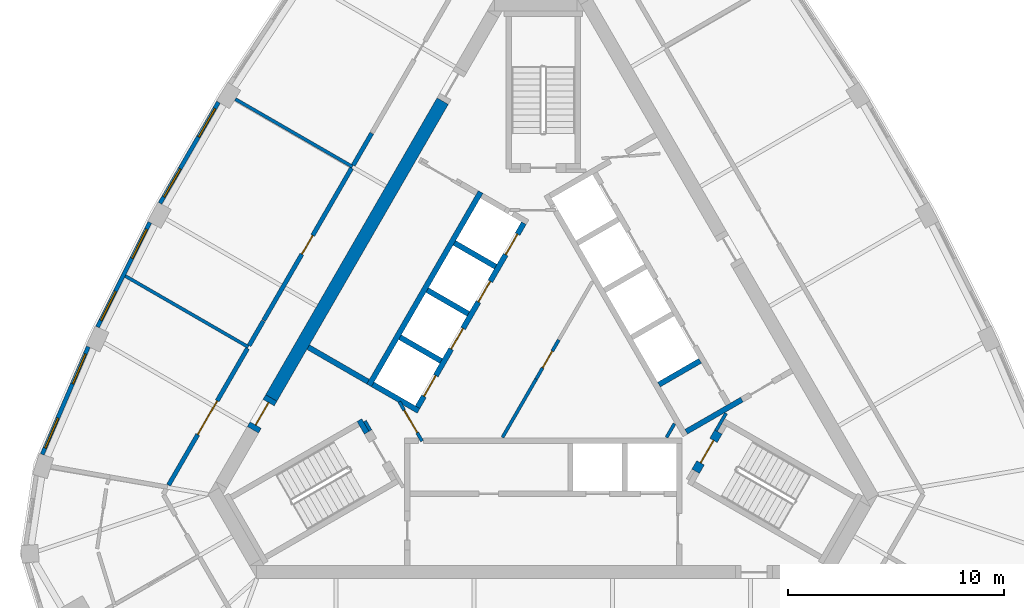
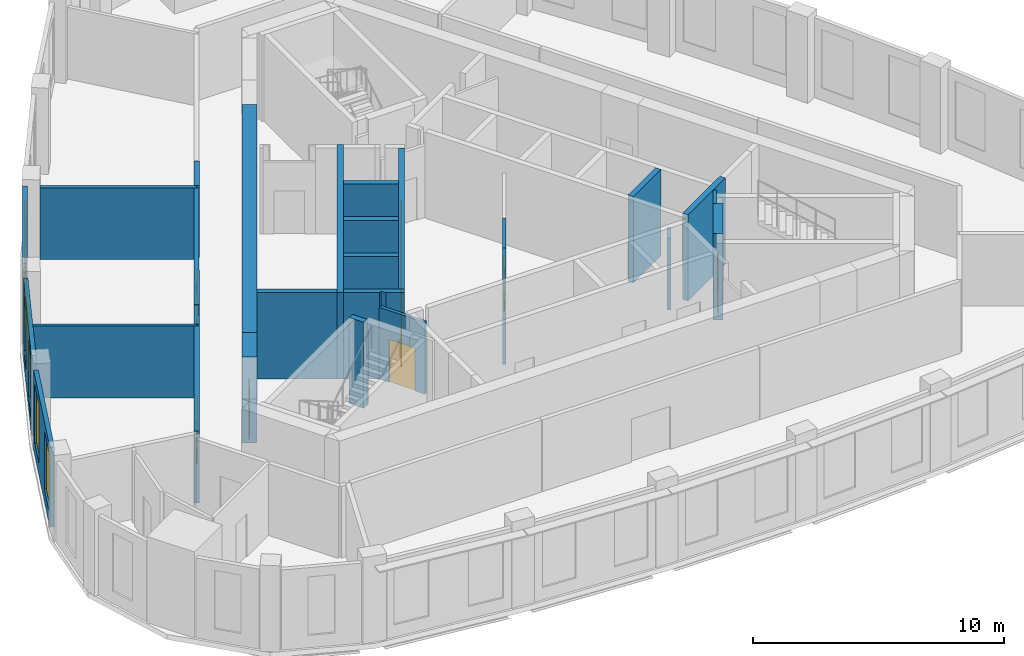
# One storey, part 4 of 8: 28 walls, 10 doors, 6 windows, 16 openings.
"""IFC4 building model written with IfcOpenShell, lengths in metres."""

from ifc_helpers import new_model, si_unit, direction, frame, frame_2d, origin, place, context, subcontext, project, spatial, polyline, rectangle, outline, extrude, material, layer, layer_set, type_object, element, fill, save


model = new_model("IFC4")

# Units and contexts
model_context = context("Model", 3, precision=1e-05, world=origin(), true_north=direction((0.0, 1.0)))
body_context = subcontext(model_context, "Body", "Model", "MODEL_VIEW")
ifc_project = project(units=[si_unit("LENGTHUNIT", "METRE"), si_unit("AREAUNIT", "SQUARE_METRE"), si_unit("VOLUMEUNIT", "CUBIC_METRE"), si_unit("PLANEANGLEUNIT", "RADIAN"), si_unit("MASSUNIT", "GRAM", prefix="KILO")], contexts=[model_context])

# Site, building, storey
site_placement = place(None, origin())
site = spatial("IfcSite", under=ifc_project, at=site_placement, CompositionType="ELEMENT")
building_placement = place(site_placement, origin())
building = spatial("IfcBuilding", under=site, at=building_placement, Name="Mestral Congress Tower", CompositionType="ELEMENT")
storey_placement = place(building_placement, frame((0.0, 0.0, 317.39990234375)))
storey = spatial("IfcBuildingStorey", under=building, at=storey_placement, Name="L74", CompositionType="ELEMENT", Elevation=317.39990234375)

# Walls
ifc_material_1 = material(Name="Fire-rated board partition")
ifc_layer_1 = layer(ifc_material_1, 0.14990234375)
ifc_layer_set_1 = layer_set([ifc_layer_1], Name="Fire-rated board partition")
wall_type_1 = type_object("IfcWallType", Name="Core partition 150", PredefinedType="PARTITIONING", material=ifc_layer_set_1)
wall_1_placement = place(storey_placement, frame((-8.251953125, -2.958251953125, 0.0), z_axis=(0.0, 0.0, 1.0), x_axis=(0.500174715838, -0.865924508047, 0.0)))
element("IfcWall", 1, at=wall_1_placement, inside=storey, type_object=wall_type_1, Name="L74 core wall", PredefinedType="PARTITIONING", context=body_context, shape_type="SweptSolid", body=[
    extrude(rectangle(XDim=0.513916015625, YDim=0.14990234375, at=frame_2d((0.2568359375, 0.0))), origin(), (0.0, 0.0, 1.0), 3.5),
])
wall_2_placement = place(storey_placement, frame((5.704833984375, -3.718017578125, 0.0), z_axis=(0.0, 0.0, 1.0), x_axis=(0.499962090823, 0.866047289552, 0.0)))
element("IfcWall", 2, at=wall_2_placement, inside=storey, type_object=wall_type_1, Name="L74 core wall", PredefinedType="PARTITIONING", context=body_context, shape_type="SweptSolid", body=[
    extrude(rectangle(XDim=0.73486328125, YDim=0.14990234375, at=frame_2d((0.367431640625, 0.0))), origin(), (0.0, 0.0, 1.0), 3.5),
])
wall_3_placement = place(storey_placement, frame((-1.886962890625, -3.71826171875, 0.0), z_axis=(0.0, 0.0, 1.0), x_axis=(0.500043732237, 0.866000153493, 0.0)))
element("IfcWall", 3, at=wall_3_placement, inside=storey, type_object=wall_type_1, Name="L74 core wall", PredefinedType="PARTITIONING", context=body_context, shape_type="SweptSolid", body=[
    extrude(rectangle(XDim=3.113525390625, YDim=0.14990234375, at=frame_2d((1.556640625, 0.0))), origin(), (0.0, 0.0, 1.0), 3.5),
])

# Wall, opening, door
wall_4_placement = place(storey_placement, frame((-0.330078125, -1.021728515625, 0.0), z_axis=(0.0, 0.0, 1.0), x_axis=(0.500027713859, 0.866009402589, 0.0)))
wall_4 = element("IfcWall", 4, at=wall_4_placement, inside=storey, type_object=wall_type_1, Name="L74 door wall", PredefinedType="PARTITIONING", context=body_context, shape_type="SweptSolid", body=[
    extrude(rectangle(XDim=2.10009765625, YDim=0.14990234375, at=frame_2d((1.050048828125, 0.0))), origin(), (0.0, 0.0, 1.0), 3.5),
])
opening_1_placement = place(wall_4_placement, frame((0.60009765625, 0.0, 0.0)))
opening_1 = element("IfcOpeningElement", 5, at=opening_1_placement, cuts=wall_4, Name="Opening CD1-HUB0", PredefinedType="OPENING", context=body_context, shape_type="SweptSolid", body=[
    extrude(rectangle(XDim=0.89990234375, YDim=2.10009765625, at=frame_2d((0.449951171875, 1.050048828125))), frame((0.0, 0.0849609375, 0.0), z_axis=(0.0, -1.0, 0.0), x_axis=(1.0, 0.0, 0.0)), (0.0, 0.0, 1.0), 0.169921875),
])
ifc_material_2 = material(Name="Fire-rated steel door set", Category="steel")
door_type_1 = type_object("IfcDoorType", Name="Core door CD 900x2100", OperationType="SINGLE_SWING_LEFT", PredefinedType="DOOR", material=ifc_material_2)
door_1_placement = place(opening_1_placement, origin())
door_1 = element("IfcDoor", 6, at=door_1_placement, inside=storey, type_object=door_type_1, Name="Door CD1-HUB0", OperationType="SINGLE_SWING_LEFT", OverallHeight=2.10009765625, OverallWidth=0.89990234375, PredefinedType="DOOR", context=body_context, shape_type="SweptSolid", body=[
    extrude(rectangle(XDim=0.89990234375, YDim=2.10009765625, at=frame_2d((0.449951171875, 1.050048828125))), frame((0.0, 0.02490234375, 0.0), z_axis=(0.0, -1.0, 0.0), x_axis=(1.0, 0.0, 0.0)), (0.0, 0.0, 1.0), 0.050048828125),
])
fill(opening_1, door_1)

wall_5_placement = place(storey_placement, frame((-5.606201171875, -3.8896484375, 0.0), z_axis=(0.0, 0.0, 1.0), x_axis=(-0.500027713859, 0.866009402589, 0.0)))
wall_5 = element("IfcWall", 7, at=wall_5_placement, inside=storey, type_object=wall_type_1, Name="L74 door wall", PredefinedType="PARTITIONING", context=body_context, shape_type="SweptSolid", body=[
    extrude(rectangle(XDim=2.10009765625, YDim=0.14990234375, at=frame_2d((1.050048828125, 0.0))), origin(), (0.0, 0.0, 1.0), 3.5),
])
opening_2_placement = place(wall_5_placement, frame((0.449951171875, 0.0, 0.0)))
opening_2 = element("IfcOpeningElement", 8, at=opening_2_placement, cuts=wall_5, Name="Opening CD3-FF", PredefinedType="OPENING", context=body_context, shape_type="SweptSolid", body=[
    extrude(rectangle(XDim=1.199951171875, YDim=2.10009765625, at=frame_2d((0.60009765625, 1.050048828125))), frame((0.0, 0.0849609375, 0.0), z_axis=(0.0, -1.0, 0.0), x_axis=(1.0, 0.0, 0.0)), (0.0, 0.0, 1.0), 0.169921875),
])
door_type_2 = type_object("IfcDoorType", Name="Core door CD 1200x2100", OperationType="SINGLE_SWING_LEFT", PredefinedType="DOOR", material=ifc_material_2)
door_2_placement = place(opening_2_placement, origin())
door_2 = element("IfcDoor", 9, at=door_2_placement, inside=storey, type_object=door_type_2, Name="Door CD3-FF", OperationType="SINGLE_SWING_LEFT", OverallHeight=2.10009765625, OverallWidth=1.199951171875, PredefinedType="DOOR", context=body_context, shape_type="SweptSolid", body=[
    extrude(rectangle(XDim=1.199951171875, YDim=2.10009765625, at=frame_2d((0.60009765625, 1.050048828125))), frame((0.0, 0.02490234375, 0.0), z_axis=(0.0, -1.0, 0.0), x_axis=(1.0, 0.0, 0.0)), (0.0, 0.0, 1.0), 0.050048828125),
])
fill(opening_2, door_2)

# Wall
ifc_material_3 = material(Name="Concrete C60/75", Category="concrete")
ifc_layer_2 = layer(ifc_material_3, 0.60009765625)
ifc_layer_set_2 = layer_set([ifc_layer_2], Name="Concrete C60/75")
wall_type_2 = type_object("IfcWallType", Name="Core wall RC 600", PredefinedType="SOLIDWALL", material=ifc_layer_set_2)
wall_6_placement = place(storey_placement, frame((-12.58154296875, -1.891845703125, 0.0), z_axis=(0.0, 0.0, 1.0), x_axis=(0.500003640647, 0.866023301845, 0.0)))
element("IfcWall", 10, at=wall_6_placement, inside=storey, type_object=wall_type_2, Name="L74 core wall", PredefinedType="SOLIDWALL", context=body_context, shape_type="SweptSolid", body=[
    extrude(rectangle(XDim=15.8583984375, YDim=0.60009765625, at=frame_2d((7.92919921875, 0.0))), origin(), (0.0, 0.0, 1.0), 4.2001953125),
])

# Wall, opening, door
wall_7_placement = place(storey_placement, frame((-13.431640625, -3.3642578125, 0.0), z_axis=(0.0, 0.0, 1.0), x_axis=(0.500062241894, 0.865989465428, 0.0)))
wall_7 = element("IfcWall", 11, at=wall_7_placement, inside=storey, type_object=wall_type_2, Name="L74 door wall", PredefinedType="SOLIDWALL", context=body_context, shape_type="SweptSolid", body=[
    extrude(rectangle(XDim=1.699951171875, YDim=0.60009765625, at=frame_2d((0.85009765625, 0.0))), origin(), (0.0, 0.0, 1.0), 4.2001953125),
])
opening_3_placement = place(wall_7_placement, frame((0.25, 0.0, 0.0)))
opening_3 = element("IfcOpeningElement", 12, at=opening_3_placement, cuts=wall_7, Name="Opening XD3", PredefinedType="OPENING", context=body_context, shape_type="SweptSolid", body=[
    extrude(rectangle(XDim=1.199951171875, YDim=2.10009765625, at=frame_2d((0.60009765625, 1.050048828125))), frame((0.0, 0.31005859375, 0.0), z_axis=(0.0, -1.0, 0.0), x_axis=(1.0, 0.0, 0.0)), (0.0, 0.0, 1.0), 0.6201171875),
])
door_type_3 = type_object("IfcDoorType", Name="Core door XD 1200x2100", OperationType="SINGLE_SWING_LEFT", PredefinedType="DOOR", material=ifc_material_2)
door_3_placement = place(opening_3_placement, origin())
door_3 = element("IfcDoor", 13, at=door_3_placement, inside=storey, type_object=door_type_3, Name="Door XD3", OperationType="SINGLE_SWING_LEFT", OverallHeight=2.10009765625, OverallWidth=1.199951171875, PredefinedType="DOOR", context=body_context, shape_type="SweptSolid", body=[
    extrude(rectangle(XDim=1.199951171875, YDim=2.10009765625, at=frame_2d((0.60009765625, 1.050048828125))), frame((0.0, 0.02490234375, 0.0), z_axis=(0.0, -1.0, 0.0), x_axis=(1.0, 0.0, 0.0)), (0.0, 0.0, 1.0), 0.050048828125),
])
fill(opening_3, door_3)

# Wall, openings, windows
ifc_material_4 = material(Name="Precast concrete C40/50 with limestone facing", Category="masonry")
ifc_layer_3 = layer(ifc_material_4, 0.18994140625)
ifc_layer_set_3 = layer_set([ifc_layer_3], Name="Precast concrete C40/50 with limestone facing")
wall_type_3 = type_object("IfcWallType", Name="Facade stone wall 190", PredefinedType="SOLIDWALL", material=ifc_layer_set_3)
wall_8_placement = place(storey_placement, frame((-15.025146484375, 11.7958984375, 0.0), z_axis=(0.0, 0.0, 1.0), x_axis=(-0.500024767483, -0.866011103799, 0.0)))
wall_8 = element("IfcWall", 14, at=wall_8_placement, inside=storey, type_object=wall_type_3, Name="Facade wall F2-02", PredefinedType="SOLIDWALL", context=body_context, shape_type="SweptSolid", body=[
    extrude(rectangle(XDim=5.406005859375, YDim=0.18994140625, at=frame_2d((2.703125, 0.0))), origin(), (0.0, 0.0, 1.0), 3.900146484375),
])
opening_4_placement = place(wall_8_placement, frame((0.346435546875, 0.0, 0.60009765625)))
opening_4 = element("IfcOpeningElement", 15, at=opening_4_placement, cuts=wall_8, Name="Opening W6", PredefinedType="OPENING", context=body_context, shape_type="SweptSolid", body=[
    extrude(rectangle(XDim=1.5, YDim=2.85009765625, at=frame_2d((0.75, 1.425048828125))), frame((0.0, 0.10498046875, 0.0), z_axis=(0.0, -1.0, 0.0), x_axis=(1.0, 0.0, 0.0)), (0.0, 0.0, 1.0), 0.2099609375),
])
opening_5_placement = place(wall_8_placement, frame((3.559326171875, 0.0, 0.60009765625)))
opening_5 = element("IfcOpeningElement", 16, at=opening_5_placement, cuts=wall_8, Name="Opening W6", PredefinedType="OPENING", context=body_context, shape_type="SweptSolid", body=[
    extrude(rectangle(XDim=1.5, YDim=2.85009765625, at=frame_2d((0.75, 1.425048828125))), frame((0.0, 0.10498046875, 0.0), z_axis=(0.0, -1.0, 0.0), x_axis=(1.0, 0.0, 0.0)), (0.0, 0.0, 1.0), 0.2099609375),
])
ifc_material_5 = material(Name="Clear low-emissivity double glazing", Category="glass")
window_type = type_object("IfcWindowType", Name="Facade punched window 1500 x 2850 sill 600", PartitioningType="SINGLE_PANEL", PredefinedType="WINDOW", material=ifc_material_5)
window_1_placement = place(opening_4_placement, origin())
window_1 = element("IfcWindow", 17, at=window_1_placement, inside=storey, type_object=window_type, Name="Window F2-02a", OverallHeight=2.85009765625, OverallWidth=1.5, PartitioningType="SINGLE_PANEL", PredefinedType="WINDOW", context=body_context, shape_type="SweptSolid", body=[
    extrude(rectangle(XDim=1.5, YDim=2.85009765625, at=frame_2d((0.75, 1.425048828125))), frame((0.0, 0.044921875, 0.0), z_axis=(0.0, -1.0, 0.0), x_axis=(1.0, 0.0, 0.0)), (0.0, 0.0, 1.0), 0.06005859375),
])
fill(opening_4, window_1)
window_2_placement = place(opening_5_placement, origin())
window_2 = element("IfcWindow", 18, at=window_2_placement, inside=storey, type_object=window_type, Name="Window F2-02b", OverallHeight=2.85009765625, OverallWidth=1.5, PartitioningType="SINGLE_PANEL", PredefinedType="WINDOW", context=body_context, shape_type="SweptSolid", body=[
    extrude(rectangle(XDim=1.5, YDim=2.85009765625, at=frame_2d((0.75, 1.425048828125))), frame((0.0, 0.044921875, 0.0), z_axis=(0.0, -1.0, 0.0), x_axis=(1.0, 0.0, 0.0)), (0.0, 0.0, 1.0), 0.06005859375),
])
fill(opening_5, window_2)

wall_9_placement = place(storey_placement, frame((-18.205810546875, 6.226806640625, 0.0), z_axis=(0.0, 0.0, 1.0), x_axis=(-0.447484531401, -0.894291671747, 0.0)))
wall_9 = element("IfcWall", 19, at=wall_9_placement, inside=storey, type_object=wall_type_3, Name="Facade wall F2-03", PredefinedType="SOLIDWALL", context=body_context, shape_type="SweptSolid", body=[
    extrude(rectangle(XDim=5.40625, YDim=0.18994140625, at=frame_2d((2.703125, 0.0))), origin(), (0.0, 0.0, 1.0), 3.900146484375),
])
opening_6_placement = place(wall_9_placement, frame((0.346435546875, 0.0, 0.60009765625)))
opening_6 = element("IfcOpeningElement", 20, at=opening_6_placement, cuts=wall_9, Name="Opening W6", PredefinedType="OPENING", context=body_context, shape_type="SweptSolid", body=[
    extrude(rectangle(XDim=1.5, YDim=2.85009765625, at=frame_2d((0.75, 1.425048828125))), frame((0.0, 0.10498046875, 0.0), z_axis=(0.0, -1.0, 0.0), x_axis=(1.0, 0.0, 0.0)), (0.0, 0.0, 1.0), 0.2099609375),
])
opening_7_placement = place(wall_9_placement, frame((3.559326171875, 0.0, 0.60009765625)))
opening_7 = element("IfcOpeningElement", 21, at=opening_7_placement, cuts=wall_9, Name="Opening W6", PredefinedType="OPENING", context=body_context, shape_type="SweptSolid", body=[
    extrude(rectangle(XDim=1.5, YDim=2.85009765625, at=frame_2d((0.75, 1.425048828125))), frame((0.0, 0.10498046875, 0.0), z_axis=(0.0, -1.0, 0.0), x_axis=(1.0, 0.0, 0.0)), (0.0, 0.0, 1.0), 0.2099609375),
])
window_3_placement = place(opening_6_placement, origin())
window_3 = element("IfcWindow", 22, at=window_3_placement, inside=storey, type_object=window_type, Name="Window F2-03a", OverallHeight=2.85009765625, OverallWidth=1.5, PartitioningType="SINGLE_PANEL", PredefinedType="WINDOW", context=body_context, shape_type="SweptSolid", body=[
    extrude(rectangle(XDim=1.5, YDim=2.85009765625, at=frame_2d((0.75, 1.425048828125))), frame((0.0, 0.044921875, 0.0), z_axis=(0.0, -1.0, 0.0), x_axis=(1.0, 0.0, 0.0)), (0.0, 0.0, 1.0), 0.06005859375),
])
fill(opening_6, window_3)
window_4_placement = place(opening_7_placement, origin())
window_4 = element("IfcWindow", 23, at=window_4_placement, inside=storey, type_object=window_type, Name="Window F2-03b", OverallHeight=2.85009765625, OverallWidth=1.5, PartitioningType="SINGLE_PANEL", PredefinedType="WINDOW", context=body_context, shape_type="SweptSolid", body=[
    extrude(rectangle(XDim=1.5, YDim=2.85009765625, at=frame_2d((0.75, 1.425048828125))), frame((0.0, 0.044921875, 0.0), z_axis=(0.0, -1.0, 0.0), x_axis=(1.0, 0.0, 0.0)), (0.0, 0.0, 1.0), 0.06005859375),
])
fill(opening_7, window_4)

wall_10_placement = place(storey_placement, frame((-21.048828125, 0.477783203125, 0.0), z_axis=(0.0, 0.0, 1.0), x_axis=(-0.393347848476, -0.919389726992, 0.0)))
wall_10 = element("IfcWall", 24, at=wall_10_placement, inside=storey, type_object=wall_type_3, Name="Facade wall F2-04", PredefinedType="SOLIDWALL", context=body_context, shape_type="SweptSolid", body=[
    extrude(rectangle(XDim=5.414794921875, YDim=0.18994140625, at=frame_2d((2.70751953125, 0.0))), origin(), (0.0, 0.0, 1.0), 3.900146484375),
])
opening_8_placement = place(wall_10_placement, frame((0.357421875, 0.0, 0.60009765625)))
opening_8 = element("IfcOpeningElement", 25, at=opening_8_placement, cuts=wall_10, Name="Opening W6", PredefinedType="OPENING", context=body_context, shape_type="SweptSolid", body=[
    extrude(rectangle(XDim=1.5, YDim=2.85009765625, at=frame_2d((0.75, 1.425048828125))), frame((0.0, 0.10498046875, 0.0), z_axis=(0.0, -1.0, 0.0), x_axis=(1.0, 0.0, 0.0)), (0.0, 0.0, 1.0), 0.2099609375),
])
opening_9_placement = place(wall_10_placement, frame((3.592529296875, 0.0, 0.60009765625)))
opening_9 = element("IfcOpeningElement", 26, at=opening_9_placement, cuts=wall_10, Name="Opening W6", PredefinedType="OPENING", context=body_context, shape_type="SweptSolid", body=[
    extrude(rectangle(XDim=1.5, YDim=2.85009765625, at=frame_2d((0.75, 1.425048828125))), frame((0.0, 0.10498046875, 0.0), z_axis=(0.0, -1.0, 0.0), x_axis=(1.0, 0.0, 0.0)), (0.0, 0.0, 1.0), 0.2099609375),
])
window_5_placement = place(opening_8_placement, origin())
window_5 = element("IfcWindow", 27, at=window_5_placement, inside=storey, type_object=window_type, Name="Window F2-04a", OverallHeight=2.85009765625, OverallWidth=1.5, PartitioningType="SINGLE_PANEL", PredefinedType="WINDOW", context=body_context, shape_type="SweptSolid", body=[
    extrude(rectangle(XDim=1.5, YDim=2.85009765625, at=frame_2d((0.75, 1.425048828125))), frame((0.0, 0.044921875, 0.0), z_axis=(0.0, -1.0, 0.0), x_axis=(1.0, 0.0, 0.0)), (0.0, 0.0, 1.0), 0.06005859375),
])
fill(opening_8, window_5)
window_6_placement = place(opening_9_placement, origin())
window_6 = element("IfcWindow", 28, at=window_6_placement, inside=storey, type_object=window_type, Name="Window F2-04b", OverallHeight=2.85009765625, OverallWidth=1.5, PartitioningType="SINGLE_PANEL", PredefinedType="WINDOW", context=body_context, shape_type="SweptSolid", body=[
    extrude(rectangle(XDim=1.5, YDim=2.85009765625, at=frame_2d((0.75, 1.425048828125))), frame((0.0, 0.044921875, 0.0), z_axis=(0.0, -1.0, 0.0), x_axis=(1.0, 0.0, 0.0)), (0.0, 0.0, 1.0), 0.06005859375),
])
fill(opening_9, window_6)

# Walls
ifc_material_6 = material(Name="Plasterboard partition on steel studs", Category="steel")
ifc_layer_4 = layer(ifc_material_6, 0.14990234375)
ifc_layer_set_4 = layer_set([ifc_layer_4], Name="Plasterboard partition on steel studs")
wall_type_4 = type_object("IfcWallType", Name="Office partition 150", PredefinedType="PARTITIONING", material=ifc_layer_set_4)
wall_11_placement = place(storey_placement, frame((-8.8291015625, 8.8076171875, 0.0), z_axis=(0.0, 0.0, 1.0), x_axis=(-0.86603673505, 0.499980373158, 0.0)))
element("IfcWall", 29, at=wall_11_placement, inside=storey, type_object=wall_type_4, Name="Partition", PredefinedType="PARTITIONING", context=body_context, shape_type="SweptSolid", body=[
    extrude(rectangle(XDim=6.254638671875, YDim=0.14990234375, at=frame_2d((3.12744140625, 0.0))), origin(), (0.0, 0.0, 1.0), 3.5),
])
wall_12_placement = place(storey_placement, frame((-13.645751953125, 0.465087890625, 0.0), z_axis=(0.0, 0.0, 1.0), x_axis=(-0.866033427365, 0.499986102494, 0.0)))
element("IfcWall", 30, at=wall_12_placement, inside=storey, type_object=wall_type_4, Name="Partition", PredefinedType="PARTITIONING", context=body_context, shape_type="SweptSolid", body=[
    extrude(rectangle(XDim=6.572998046875, YDim=0.14990234375, at=frame_2d((3.28662109375, 0.0))), origin(), (0.0, 0.0, 1.0), 3.5),
])
ifc_material_7 = material(Name="Dense masonry wall, plastered", Category="masonry")
ifc_layer_5 = layer(ifc_material_7, 0.199951171875)
ifc_layer_set_5 = layer_set([ifc_layer_5], Name="Dense masonry wall, plastered")
wall_type_5 = type_object("IfcWallType", Name="Office tenancy wall 200", PredefinedType="PARTITIONING", material=ifc_layer_set_5)
wall_13_placement = place(storey_placement, frame((-7.935546875, 10.35498046875, 0.0), z_axis=(0.0, 0.0, 1.0), x_axis=(-0.500035209441, -0.86600507465, 0.0)))
element("IfcWall", 31, at=wall_13_placement, inside=storey, type_object=wall_type_5, Name="Tenancy wall", PredefinedType="PARTITIONING", context=body_context, shape_type="SweptSolid", body=[
    extrude(rectangle(XDim=1.7119140625, YDim=0.199951171875, at=frame_2d((0.85595703125, 0.0))), origin(), (0.0, 0.0, 1.0), 3.5),
])

# Wall, opening, door
wall_14_placement = place(storey_placement, frame((-8.86669921875, 8.74267578125, 0.0), z_axis=(0.0, 0.0, 1.0), x_axis=(-0.499978679558, -0.866037712797, 0.0)))
wall_14 = element("IfcWall", 32, at=wall_14_placement, inside=storey, type_object=wall_type_5, Name="Tenancy wall", PredefinedType="PARTITIONING", context=body_context, shape_type="SweptSolid", body=[
    extrude(rectangle(XDim=8.137939453125, YDim=0.199951171875, at=frame_2d((4.06884765625, 0.0))), origin(), (0.0, 0.0, 1.0), 3.5),
])
opening_10_placement = place(wall_14_placement, frame((3.60009765625, 0.0, 0.0)))
opening_10 = element("IfcOpeningElement", 33, at=opening_10_placement, cuts=wall_14, Name="Opening O15-005", PredefinedType="OPENING", context=body_context, shape_type="SweptSolid", body=[
    extrude(rectangle(XDim=1.0, YDim=2.10009765625, at=frame_2d((0.5, 1.050048828125))), frame((0.0, 0.10986328125, 0.0), z_axis=(0.0, -1.0, 0.0), x_axis=(1.0, 0.0, 0.0)), (0.0, 0.0, 1.0), 0.219970703125),
])
ifc_material_8 = material(Name="Fire-rated timber door set", Category="wood")
door_type_4 = type_object("IfcDoorType", Name="Office tenancy entrance door 1000x2100", OperationType="SINGLE_SWING_LEFT", PredefinedType="DOOR", material=ifc_material_8)
door_4_placement = place(opening_10_placement, origin())
door_4 = element("IfcDoor", 34, at=door_4_placement, inside=storey, type_object=door_type_4, Name="Door O15-005", OperationType="SINGLE_SWING_RIGHT", OverallHeight=2.10009765625, OverallWidth=1.0, PredefinedType="DOOR", context=body_context, shape_type="SweptSolid", body=[
    extrude(rectangle(XDim=1.0, YDim=2.10009765625, at=frame_2d((0.5, 1.050048828125))), frame((0.0, 0.02490234375, 0.0), z_axis=(0.0, -1.0, 0.0), x_axis=(1.0, 0.0, 0.0)), (0.0, 0.0, 1.0), 0.050048828125),
])
fill(opening_10, door_4)

# Wall
wall_15_placement = place(storey_placement, frame((-12.95068359375, 1.6689453125, 0.0), z_axis=(0.0, 0.0, 1.0), x_axis=(-0.49987242464, -0.866099046925, 0.0)))
element("IfcWall", 35, at=wall_15_placement, inside=storey, type_object=wall_type_5, Name="Tenancy wall", PredefinedType="PARTITIONING", context=body_context, shape_type="SweptSolid", body=[
    extrude(rectangle(XDim=1.315185546875, YDim=0.199951171875, at=frame_2d((0.65771484375, 0.0))), origin(), (0.0, 0.0, 1.0), 3.5),
])

# Wall, opening, door
wall_16_placement = place(storey_placement, frame((-13.68310546875, 0.39990234375, 0.0), z_axis=(0.0, 0.0, 1.0), x_axis=(-0.500004109969, -0.86602303088, 0.0)))
wall_16 = element("IfcWall", 36, at=wall_16_placement, inside=storey, type_object=wall_type_5, Name="Tenancy wall", PredefinedType="PARTITIONING", context=body_context, shape_type="SweptSolid", body=[
    extrude(rectangle(XDim=7.30322265625, YDim=0.199951171875, at=frame_2d((3.651611328125, 0.0))), origin(), (0.0, 0.0, 1.0), 3.5),
])
opening_11_placement = place(wall_16_placement, frame((2.800048828125, 0.0, 0.0)))
opening_11 = element("IfcOpeningElement", 37, at=opening_11_placement, cuts=wall_16, Name="Opening O15-006", PredefinedType="OPENING", context=body_context, shape_type="SweptSolid", body=[
    extrude(rectangle(XDim=1.800048828125, YDim=2.10009765625, at=frame_2d((0.89990234375, 1.050048828125))), frame((0.0, 0.10986328125, 0.0), z_axis=(0.0, -1.0, 0.0), x_axis=(1.0, 0.0, 0.0)), (0.0, 0.0, 1.0), 0.219970703125),
])
door_type_5 = type_object("IfcDoorType", Name="Office assembly double door 1800x2100", OperationType="DOUBLE_DOOR_SINGLE_SWING", PredefinedType="DOOR", material=ifc_material_8)
door_5_placement = place(opening_11_placement, origin())
door_5 = element("IfcDoor", 38, at=door_5_placement, inside=storey, type_object=door_type_5, Name="Door O15-006", OperationType="DOUBLE_DOOR_SINGLE_SWING", OverallHeight=2.10009765625, OverallWidth=1.800048828125, PredefinedType="DOOR", context=body_context, shape_type="SweptSolid", body=[
    extrude(rectangle(XDim=1.800048828125, YDim=2.10009765625, at=frame_2d((0.89990234375, 1.050048828125))), frame((0.0, 0.02490234375, 0.0), z_axis=(0.0, -1.0, 0.0), x_axis=(1.0, 0.0, 0.0)), (0.0, 0.0, 1.0), 0.050048828125),
])
fill(opening_11, door_5)

# Walls
ifc_layer_6 = layer(ifc_material_3, 0.25)
ifc_layer_set_6 = layer_set([ifc_layer_6], Name="Concrete C60/75")
wall_type_6 = type_object("IfcWallType", Name="Shaft wall RC 250", PredefinedType="SOLIDWALL", material=ifc_layer_set_6)
wall_17_placement = place(storey_placement, frame((5.35400390625, -1.273681640625, 0.0), z_axis=(0.0, 0.0, 1.0), x_axis=(0.866008176907, 0.50002983664, 0.0)))
element("IfcWall", 39, at=wall_17_placement, inside=storey, type_object=wall_type_6, Name="L74 core wall", PredefinedType="SOLIDWALL", context=body_context, shape_type="SweptSolid", body=[
    extrude(rectangle(XDim=2.199951171875, YDim=0.25, at=frame_2d((1.10009765625, 0.0))), origin(), (0.0, 0.0, 1.0), 4.2001953125),
])
wall_18_placement = place(storey_placement, frame((6.614013671875, -3.4560546875, 0.0), z_axis=(0.0, 0.0, 1.0), x_axis=(0.866032512851, 0.499987686533, 0.0)))
element("IfcWall", 40, at=wall_18_placement, inside=storey, type_object=wall_type_6, Name="L74 core wall", PredefinedType="SOLIDWALL", context=body_context, shape_type="SweptSolid", body=[
    extrude(rectangle(XDim=2.974609375, YDim=0.25, at=frame_2d((1.4873046875, 0.0))), origin(), (0.0, 0.0, 1.0), 4.2001953125),
])
wall_19_placement = place(storey_placement, frame((-8.06005859375, -1.310546875, 0.0), z_axis=(0.0, 0.0, 1.0), x_axis=(0.50000273126, 0.866023826885, 0.0)))
element("IfcWall", 41, at=wall_19_placement, inside=storey, type_object=wall_type_6, Name="L74 core wall", PredefinedType="SOLIDWALL", context=body_context, shape_type="SweptSolid", body=[
    extrude(rectangle(XDim=10.330078125, YDim=0.25, at=frame_2d((5.1650390625, 0.0))), origin(), (0.0, 0.0, 1.0), 4.2001953125),
])
for number, where, z_axis, x_axis, name in (
    (42, (-2.2041015625, 4.182373046875, 0.0), (0.0, 0.0, 1.0), (-0.866008176907, 0.50002983664, 0.0), "L74 core wall"),
    (43, (-5.369384765625, 3.10009765625, 0.0), (0.0, 0.0, 1.0), (0.866008176907, -0.50002983664, 0.0), "L74 core wall"),
    (44, (-4.72412109375, -0.182373046875, 0.0), (0.0, 0.0, 1.0), (-0.866008176907, 0.50002983664, 0.0), "L74 core wall"),
):
    element("IfcWall", number, at=place(storey_placement, frame(where, z_axis=z_axis, x_axis=x_axis)), inside=storey, type_object=wall_type_6, Name=name, PredefinedType="SOLIDWALL", context=body_context, shape_type="SweptSolid", body=[
        extrude(rectangle(XDim=2.199951171875, YDim=0.25, at=frame_2d((1.10009765625, 0.0))), origin(), (0.0, 0.0, 1.0), 4.2001953125),
    ])
wall_20_placement = place(storey_placement, origin())
element("IfcWall", 45, at=wall_20_placement, inside=storey, type_object=wall_type_6, Name="L74 core wall", PredefinedType="SOLIDWALL", context=body_context, shape_type="SweptSolid", body=[
    extrude(outline(polyline([(-5.921630859375, -2.256591796875), (-5.921630859375, -2.256591796875), (-5.705078125, -2.381591796875), (-5.830078125, -2.597900390625), (-6.48291015625, -2.22119140625), (-6.59130859375, -2.033447265625), (-6.59130859375, -2.033447265625), (-6.69970703125, -2.095947265625), (-7.951904296875, -1.373046875), (-7.826904296875, -1.156494140625), (-5.921630859375, -2.256591796875)])), origin(), (0.0, 0.0, 1.0), 4.2001953125),
])
wall_21_placement = place(storey_placement, frame((-8.10595703125, -1.139892578125, 0.0), z_axis=(0.0, 0.0, 1.0), x_axis=(-0.866008981251, 0.500028443584, 0.0)))
element("IfcWall", 46, at=wall_21_placement, inside=storey, type_object=wall_type_6, Name="L74 core wall", PredefinedType="SOLIDWALL", context=body_context, shape_type="SweptSolid", body=[
    extrude(rectangle(XDim=3.199951171875, YDim=0.25, at=frame_2d((1.60009765625, 0.0))), origin(), (0.0, 0.0, 1.0), 4.2001953125),
])

# Wall, openings, doors
wall_22_placement = place(storey_placement, frame((-0.898193359375, 6.194091796875, 0.0), z_axis=(0.0, 0.0, 1.0), x_axis=(-0.499996202215, -0.866027596426, 0.0)))
wall_22 = element("IfcWall", 47, at=wall_22_placement, inside=storey, type_object=wall_type_6, Name="L74 door wall", PredefinedType="SOLIDWALL", context=body_context, shape_type="SweptSolid", body=[
    extrude(rectangle(XDim=9.830078125, YDim=0.25, at=frame_2d((4.9150390625, 0.0))), origin(), (0.0, 0.0, 1.0), 4.2001953125),
])
opening_12_placement = place(wall_22_placement, frame((0.5849609375, 0.0, 0.0)))
opening_12 = element("IfcOpeningElement", 48, at=opening_12_placement, cuts=wall_22, Name="Opening LD-NWB1", PredefinedType="OPENING", context=body_context, shape_type="SweptSolid", body=[
    extrude(rectangle(XDim=1.10009765625, YDim=2.10009765625, at=frame_2d((0.550048828125, 1.050048828125))), frame((0.0, 0.135009765625, 0.0), z_axis=(0.0, -1.0, 0.0), x_axis=(1.0, 0.0, 0.0)), (0.0, 0.0, 1.0), 0.27001953125),
])
opening_13_placement = place(wall_22_placement, frame((3.10498046875, 0.0, 0.0)))
opening_13 = element("IfcOpeningElement", 49, at=opening_13_placement, cuts=wall_22, Name="Opening LD-NWB2", PredefinedType="OPENING", context=body_context, shape_type="SweptSolid", body=[
    extrude(rectangle(XDim=1.10009765625, YDim=2.10009765625, at=frame_2d((0.550048828125, 1.050048828125))), frame((0.0, 0.135009765625, 0.0), z_axis=(0.0, -1.0, 0.0), x_axis=(1.0, 0.0, 0.0)), (0.0, 0.0, 1.0), 0.27001953125),
])
opening_14_placement = place(wall_22_placement, frame((5.625, 0.0, 0.0)))
opening_14 = element("IfcOpeningElement", 50, at=opening_14_placement, cuts=wall_22, Name="Opening LD-NWB3", PredefinedType="OPENING", context=body_context, shape_type="SweptSolid", body=[
    extrude(rectangle(XDim=1.10009765625, YDim=2.10009765625, at=frame_2d((0.550048828125, 1.050048828125))), frame((0.0, 0.135009765625, 0.0), z_axis=(0.0, -1.0, 0.0), x_axis=(1.0, 0.0, 0.0)), (0.0, 0.0, 1.0), 0.27001953125),
])
opening_15_placement = place(wall_22_placement, frame((8.14501953125, 0.0, 0.0)))
opening_15 = element("IfcOpeningElement", 51, at=opening_15_placement, cuts=wall_22, Name="Opening LD-NWB4", PredefinedType="OPENING", context=body_context, shape_type="SweptSolid", body=[
    extrude(rectangle(XDim=1.10009765625, YDim=2.10009765625, at=frame_2d((0.550048828125, 1.050048828125))), frame((0.0, 0.135009765625, 0.0), z_axis=(0.0, -1.0, 0.0), x_axis=(1.0, 0.0, 0.0)), (0.0, 0.0, 1.0), 0.27001953125),
])
door_type_6 = type_object("IfcDoorType", Name="Core door LD 1100x2100", OperationType="DOUBLE_DOOR_SLIDING", PredefinedType="DOOR", material=ifc_material_2)
door_6_placement = place(opening_12_placement, origin())
door_6 = element("IfcDoor", 52, at=door_6_placement, inside=storey, type_object=door_type_6, Name="Door LD-NWB1", OperationType="DOUBLE_DOOR_SLIDING", OverallHeight=2.10009765625, OverallWidth=1.10009765625, PredefinedType="DOOR", context=body_context, shape_type="SweptSolid", body=[
    extrude(rectangle(XDim=1.10009765625, YDim=2.10009765625, at=frame_2d((0.550048828125, 1.050048828125))), frame((0.0, 0.02490234375, 0.0), z_axis=(0.0, -1.0, 0.0), x_axis=(1.0, 0.0, 0.0)), (0.0, 0.0, 1.0), 0.050048828125),
])
fill(opening_12, door_6)
door_7_placement = place(opening_13_placement, origin())
door_7 = element("IfcDoor", 53, at=door_7_placement, inside=storey, type_object=door_type_6, Name="Door LD-NWB2", OperationType="DOUBLE_DOOR_SLIDING", OverallHeight=2.10009765625, OverallWidth=1.10009765625, PredefinedType="DOOR", context=body_context, shape_type="SweptSolid", body=[
    extrude(rectangle(XDim=1.10009765625, YDim=2.10009765625, at=frame_2d((0.550048828125, 1.050048828125))), frame((0.0, 0.02490234375, 0.0), z_axis=(0.0, -1.0, 0.0), x_axis=(1.0, 0.0, 0.0)), (0.0, 0.0, 1.0), 0.050048828125),
])
fill(opening_13, door_7)
door_8_placement = place(opening_14_placement, origin())
door_8 = element("IfcDoor", 54, at=door_8_placement, inside=storey, type_object=door_type_6, Name="Door LD-NWB3", OperationType="DOUBLE_DOOR_SLIDING", OverallHeight=2.10009765625, OverallWidth=1.10009765625, PredefinedType="DOOR", context=body_context, shape_type="SweptSolid", body=[
    extrude(rectangle(XDim=1.10009765625, YDim=2.10009765625, at=frame_2d((0.550048828125, 1.050048828125))), frame((0.0, 0.02490234375, 0.0), z_axis=(0.0, -1.0, 0.0), x_axis=(1.0, 0.0, 0.0)), (0.0, 0.0, 1.0), 0.050048828125),
])
fill(opening_14, door_8)
door_9_placement = place(opening_15_placement, origin())
door_9 = element("IfcDoor", 55, at=door_9_placement, inside=storey, type_object=door_type_6, Name="Door LD-NWB4", OperationType="DOUBLE_DOOR_SLIDING", OverallHeight=2.10009765625, OverallWidth=1.10009765625, PredefinedType="DOOR", context=body_context, shape_type="SweptSolid", body=[
    extrude(rectangle(XDim=1.10009765625, YDim=2.10009765625, at=frame_2d((0.550048828125, 1.050048828125))), frame((0.0, 0.02490234375, 0.0), z_axis=(0.0, -1.0, 0.0), x_axis=(1.0, 0.0, 0.0)), (0.0, 0.0, 1.0), 0.050048828125),
])
fill(opening_15, door_9)

# Walls
ifc_layer_7 = layer(ifc_material_3, 0.14990234375)
ifc_layer_set_7 = layer_set([ifc_layer_7], Name="Concrete C60/75")
wall_type_7 = type_object("IfcWallType", Name="Shaft wall RC 250 door-wall 150", PredefinedType="SOLIDWALL", material=ifc_layer_set_7)
wall_23_placement = place(storey_placement, frame((8.459228515625, -2.59912109375, 0.0), z_axis=(0.0, 0.0, 1.0), x_axis=(-0.500041054325, -0.866001699761, 0.0)))
element("IfcWall", 56, at=wall_23_placement, inside=storey, type_object=wall_type_7, Name="L74 core wall", PredefinedType="PARTITIONING", context=body_context, shape_type="SweptSolid", body=[
    extrude(rectangle(XDim=0.9287109375, YDim=0.14990234375, at=frame_2d((0.46435546875, 0.0))), origin(), (0.0, 0.0, 1.0), 4.2001953125),
])
ifc_layer_8 = layer(ifc_material_3, 0.25)
ifc_layer_set_8 = layer_set([ifc_layer_8], Name="Concrete C60/75")
wall_type_8 = type_object("IfcWallType", Name="Stair wall RC 250", PredefinedType="SOLIDWALL", material=ifc_layer_set_8)
wall_24_placement = place(storey_placement, frame((-8.167724609375, -3.503173828125, 0.0), z_axis=(0.0, 0.0, 1.0), x_axis=(-0.499952099219, 0.866053057547, 0.0)))
element("IfcWall", 57, at=wall_24_placement, inside=storey, type_object=wall_type_8, Name="L74 core wall", PredefinedType="SOLIDWALL", context=body_context, shape_type="SweptSolid", body=[
    extrude(rectangle(XDim=0.6748046875, YDim=0.25, at=frame_2d((0.33740234375, 0.0))), origin(), (0.0, 0.0, 1.0), 4.2001953125),
])

# Wall, opening, door
ifc_layer_9 = layer(ifc_material_3, 0.39990234375)
ifc_layer_set_9 = layer_set([ifc_layer_9], Name="Concrete C60/75")
wall_type_9 = type_object("IfcWallType", Name="Stair wall RC 250 door-wall 400", PredefinedType="SOLIDWALL", material=ifc_layer_set_9)
wall_25_placement = place(storey_placement, frame((7.052734375, -5.2841796875, 0.0), z_axis=(0.0, 0.0, 1.0), x_axis=(0.500078061341, 0.865980330357, 0.0)))
wall_25 = element("IfcWall", 58, at=wall_25_placement, inside=storey, type_object=wall_type_9, Name="L74 door wall", PredefinedType="SOLIDWALL", context=body_context, shape_type="SweptSolid", body=[
    extrude(rectangle(XDim=2.099853515625, YDim=0.39990234375, at=frame_2d((1.0498046875, 0.0))), origin(), (0.0, 0.0, 1.0), 4.2001953125),
])
opening_16_placement = place(wall_25_placement, frame((0.449951171875, 0.0, 0.0)))
opening_16 = element("IfcOpeningElement", 59, at=opening_16_placement, cuts=wall_25, Name="Opening ST-D1", PredefinedType="OPENING", context=body_context, shape_type="SweptSolid", body=[
    extrude(rectangle(XDim=1.199951171875, YDim=2.10009765625, at=frame_2d((0.60009765625, 1.050048828125))), frame((0.0, 0.2099609375, 0.0), z_axis=(0.0, -1.0, 0.0), x_axis=(1.0, 0.0, 0.0)), (0.0, 0.0, 1.0), 0.419921875),
])
door_type_7 = type_object("IfcDoorType", Name="Core door ST 1200x2100", OperationType="SINGLE_SWING_LEFT", PredefinedType="DOOR", material=ifc_material_2)
door_10_placement = place(opening_16_placement, origin())
door_10 = element("IfcDoor", 60, at=door_10_placement, inside=storey, type_object=door_type_7, Name="Door ST-D1", OperationType="SINGLE_SWING_LEFT", OverallHeight=2.10009765625, OverallWidth=1.199951171875, PredefinedType="DOOR", context=body_context, shape_type="SweptSolid", body=[
    extrude(rectangle(XDim=1.199951171875, YDim=2.10009765625, at=frame_2d((0.60009765625, 1.050048828125))), frame((0.0, 0.02490234375, 0.0), z_axis=(0.0, -1.0, 0.0), x_axis=(1.0, 0.0, 0.0)), (0.0, 0.0, 1.0), 0.050048828125),
])
fill(opening_16, door_10)

save(model, "model.ifc")
